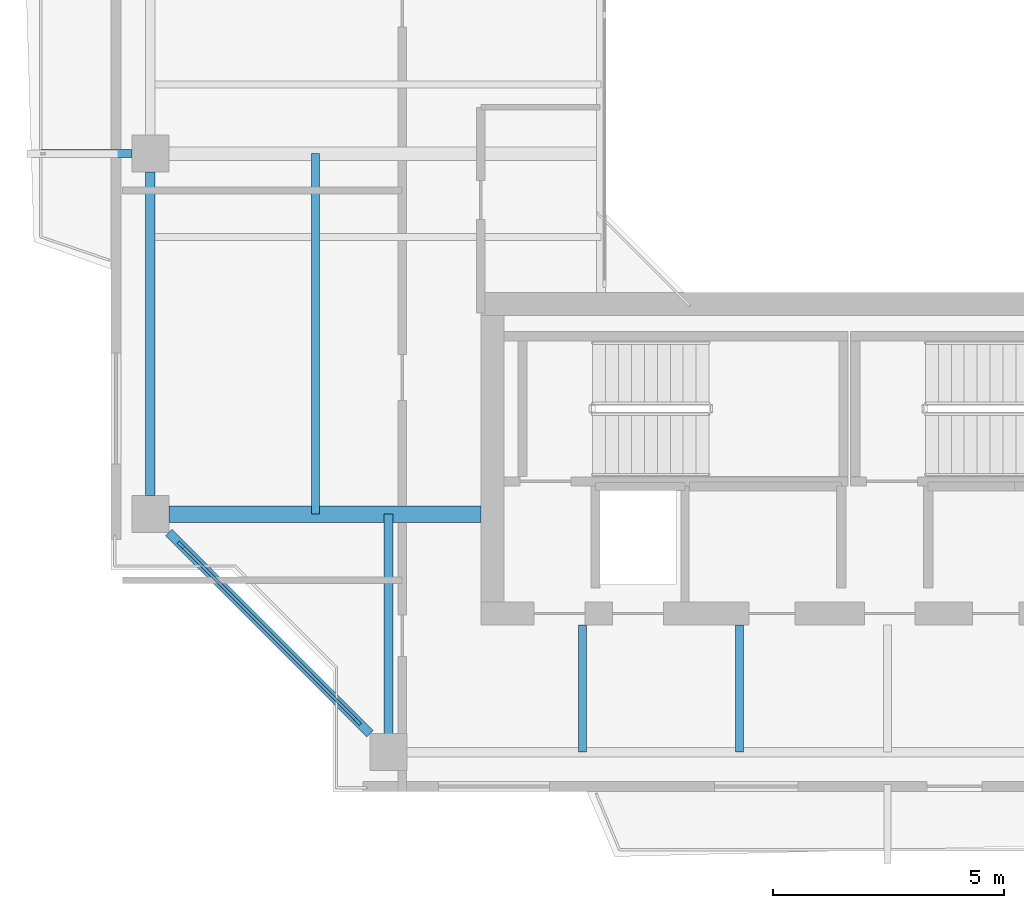
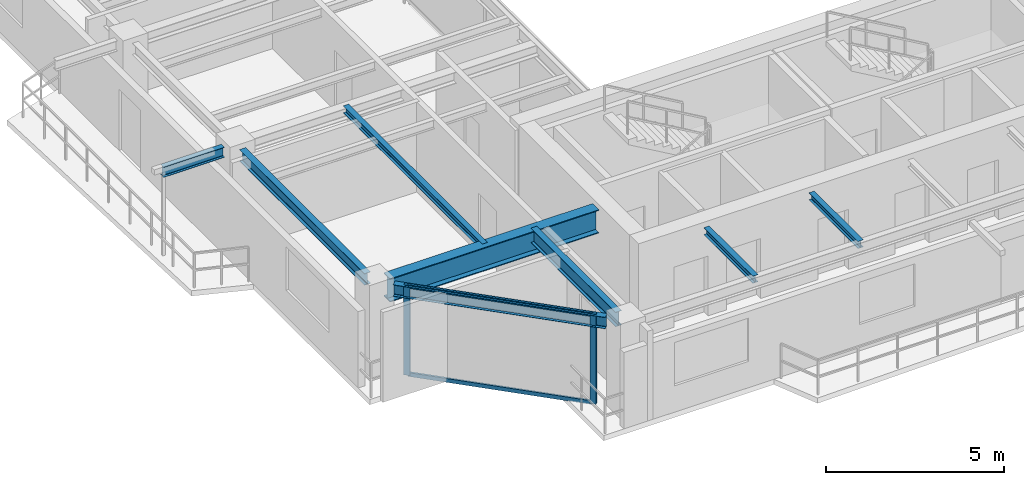
# One storey, part 2 of 15: 8 beams, 4 members, 1 element without a shape of its own.
"""IFC4 building model written with IfcOpenShell, lengths in metres."""

from ifc_helpers import new_model, si_unit, direction, frame, origin, origin_2d, place, context, subcontext, project, spatial, rectangle, i_section, extrude, source, transform, mapped, material, layer, layer_set, material_profile, profile_set, type_object, element, aggregate, save


model = new_model("IFC4")

# Units and contexts
model_context = context("Model", 3, precision=1e-05, world=origin(), true_north=direction((0.0, 1.0)))
body_context = subcontext(model_context, "Body", "Model", "MODEL_VIEW")
ifc_project = project(units=[si_unit("LENGTHUNIT", "METRE"), si_unit("AREAUNIT", "SQUARE_METRE"), si_unit("VOLUMEUNIT", "CUBIC_METRE"), si_unit("PLANEANGLEUNIT", "RADIAN"), si_unit("MASSUNIT", "GRAM", prefix="KILO"), si_unit("THERMODYNAMICTEMPERATUREUNIT", "KELVIN"), si_unit("POWERUNIT", "WATT")], contexts=[model_context])

# Site, building, storey
site_placement = place(None, origin())
site = spatial("IfcSite", under=ifc_project, at=site_placement, CompositionType="ELEMENT")
building_placement = place(site_placement, origin())
building = spatial("IfcBuilding", under=site, at=building_placement, Name="Qiaomeng Ring Towers", CompositionType="ELEMENT")
storey_placement = place(building_placement, frame((0.0, 0.0, 219.75)))
storey = spatial("IfcBuildingStorey", under=building, at=storey_placement, Name="L64", CompositionType="ELEMENT", Elevation=219.75)

# Beams
ifc_material_1 = material(Name="Steel Q355B", Category="steel")
ifc_material_profile_1 = material_profile(ifc_material_1, i_section(OverallWidth=0.198974609375, OverallDepth=0.39599609375, WebThickness=0.007080078125, FlangeThickness=0.010986328125, FilletRadius=0.01611328125, at=origin_2d()), Name="HN 396x199x7x11")
ifc_profile_set_1 = profile_set([ifc_material_profile_1], Name="Steel Q355B")
beam_type_1 = type_object("IfcBeamType", Name="STR-BM-HN396", PredefinedType="SPANDREL", material=ifc_profile_set_1)
shared_shape_1 = source(origin(), body_context, "Body", "SweptSolid", [
    extrude(i_section(OverallWidth=0.198974609375, OverallDepth=0.39599609375, WebThickness=0.007080078125, FlangeThickness=0.010986328125, FilletRadius=0.01611328125, at=origin_2d()), origin(), (0.0, 0.0, 1.0), 6.154052734375),
])
beam_1_placement = place(storey_placement, frame((3.44921875, 11.80078125, 2.8720703125), z_axis=(0.707106781187, -0.707106781187, 0.0), x_axis=(0.707106781187, 0.707106781187, 0.0)))
element("IfcBeam", 1, at=beam_1_placement, inside=storey, type_object=beam_type_1, Name="L64 beam STR-SP-L64-T1-W1-S1", PredefinedType="SPANDREL", context=body_context, shape_type="MappedRepresentation", body=[
    mapped(shared_shape_1, transform((0.0, 0.0, 0.0), x_axis=(1.0, 0.0, 0.0), y_axis=(0.0, 1.0, 0.0), z_axis=(0.0, 0.0, 1.0), scale=1.0)),
])
shared_shape_2 = source(origin(), body_context, "Body", "SweptSolid", [
    extrude(i_section(OverallWidth=0.198974609375, OverallDepth=0.39599609375, WebThickness=0.007080078125, FlangeThickness=0.010986328125, FilletRadius=0.01611328125, at=origin_2d()), origin(), (0.0, 0.0, 1.0), 7.001953125),
])
beam_2_placement = place(storey_placement, frame((3.050048828125, 19.60107421875, 2.8720703125), z_axis=(0.0, -1.0, 0.0), x_axis=(1.0, 0.0, 0.0)))
element("IfcBeam", 2, at=beam_2_placement, inside=storey, type_object=beam_type_1, Name="L64 beam STR-SP-L64-T1-W2-W1", PredefinedType="SPANDREL", context=body_context, shape_type="MappedRepresentation", body=[
    mapped(shared_shape_2, transform((0.0, 0.0, 0.0), x_axis=(1.0, 0.0, 0.0), y_axis=(0.0, 1.0, 0.0), z_axis=(0.0, 0.0, 1.0), scale=1.0)),
])
ifc_material_2 = material(Name="Steel Q390GJC", Category="steel")
ifc_material_profile_2 = material_profile(ifc_material_2, i_section(OverallWidth=0.35009765625, OverallDepth=0.800048828125, WebThickness=0.01611328125, FlangeThickness=0.028076171875, at=origin_2d()), Name="WH 800x350x16x28")
ifc_profile_set_2 = profile_set([ifc_material_profile_2], Name="Steel Q390GJC")
beam_type_2 = type_object("IfcBeamType", Name="STR-BM-WH800", PredefinedType="BEAM", material=ifc_profile_set_2)
shared_shape_3 = source(origin(), body_context, "Body", "SweptSolid", [
    extrude(i_section(OverallWidth=0.35009765625, OverallDepth=0.800048828125, WebThickness=0.01611328125, FlangeThickness=0.028076171875, at=origin_2d()), origin(), (0.0, 0.0, 1.0), 6.7509765625),
])
beam_3_placement = place(storey_placement, frame((3.448974609375, 12.199951171875, 2.669921875), z_axis=(1.0, 0.0, 0.0), x_axis=(0.0, 1.0, 0.0)))
element("IfcBeam", 3, at=beam_3_placement, inside=storey, type_object=beam_type_2, Name="L64 beam STR-BM-L64-T1-RAD-W1", PredefinedType="BEAM", context=body_context, shape_type="MappedRepresentation", body=[
    mapped(shared_shape_3, transform((0.0, 0.0, 0.0), x_axis=(1.0, 0.0, 0.0), y_axis=(0.0, 1.0, 0.0), z_axis=(0.0, 0.0, 1.0), scale=1.0)),
])
ifc_material_profile_3 = material_profile(ifc_material_1, i_section(OverallWidth=0.175048828125, OverallDepth=0.35009765625, WebThickness=0.007080078125, FlangeThickness=0.010986328125, FilletRadius=0.013916015625, at=origin_2d()), Name="HN 350x175x7x11")
ifc_profile_set_3 = profile_set([ifc_material_profile_3], Name="Steel Q355B")
beam_type_3 = type_object("IfcBeamType", Name="STR-BM-HN350", PredefinedType="JOIST", material=ifc_profile_set_3)
shared_shape_4 = source(origin(), body_context, "Body", "SweptSolid", [
    extrude(i_section(OverallWidth=0.175048828125, OverallDepth=0.35009765625, WebThickness=0.007080078125, FlangeThickness=0.010986328125, FilletRadius=0.013916015625, at=origin_2d()), origin(), (0.0, 0.0, 1.0), 1.970947265625),
])
beam_4_placement = place(storey_placement, frame((0.679931640625, 20.0, 2.89501953125), z_axis=(1.0, 0.0, 0.0), x_axis=(0.0, 1.0, 0.0)))
element("IfcBeam", 4, at=beam_4_placement, inside=storey, type_object=beam_type_3, Name="L64 beam STR-BALBM-L64-W2", PredefinedType="JOIST", context=body_context, shape_type="MappedRepresentation", body=[
    mapped(shared_shape_4, transform((0.0, 0.0, 0.0), x_axis=(1.0, 0.0, 0.0), y_axis=(0.0, 1.0, 0.0), z_axis=(0.0, 0.0, 1.0), scale=1.0)),
])
ifc_material_profile_4 = material_profile(ifc_material_1, i_section(OverallWidth=0.175048828125, OverallDepth=0.243896484375, WebThickness=0.007080078125, FlangeThickness=0.010986328125, FilletRadius=0.01611328125, at=origin_2d()), Name="HM 244x175x7x11")
ifc_profile_set_4 = profile_set([ifc_material_profile_4], Name="Steel Q355B")
beam_type_4 = type_object("IfcBeamType", Name="STR-BM-HM244", PredefinedType="JOIST", material=ifc_profile_set_4)
shared_shape_5 = source(origin(), body_context, "Body", "SweptSolid", [
    extrude(i_section(OverallWidth=0.175048828125, OverallDepth=0.243896484375, WebThickness=0.007080078125, FlangeThickness=0.010986328125, FilletRadius=0.01611328125, at=origin_2d()), origin(), (0.0, 0.0, 1.0), 2.75),
])
for number, where, z_axis, x_axis, name in (
    (5, (12.39990234375, 7.050048828125, 2.947998046875), (0.0, 1.0, 0.0), (-1.0, 0.0, 0.0), "L64 beam STR-JST-L64-T1S-1"),
    (6, (15.800048828125, 7.050048828125, 2.947998046875), (0.0, 1.0, 0.0), (-1.0, 0.0, 0.0), "L64 beam STR-JST-L64-T1S-2"),
):
    element("IfcBeam", number, at=place(storey_placement, frame(where, z_axis=z_axis, x_axis=x_axis)), inside=storey, type_object=beam_type_4, Name=name, PredefinedType="JOIST", context=body_context, shape_type="MappedRepresentation", body=[
        mapped(shared_shape_5, transform((0.0, 0.0, 0.0), x_axis=(1.0, 0.0, 0.0), y_axis=(0.0, 1.0, 0.0), z_axis=(0.0, 0.0, 1.0), scale=1.0)),
    ])
shared_shape_6 = source(origin(), body_context, "Body", "SweptSolid", [
    extrude(i_section(OverallWidth=0.175048828125, OverallDepth=0.243896484375, WebThickness=0.007080078125, FlangeThickness=0.010986328125, FilletRadius=0.01611328125, at=origin_2d()), origin(), (0.0, 0.0, 1.0), 7.800048828125),
])
beam_5_placement = place(storey_placement, frame((6.625, 12.199951171875, 2.947998046875), z_axis=(0.0, 1.0, 0.0), x_axis=(-1.0, 0.0, 0.0)))
element("IfcBeam", 7, at=beam_5_placement, inside=storey, type_object=beam_type_4, Name="L64 beam STR-JST-L64-T1C-WS", PredefinedType="JOIST", context=body_context, shape_type="MappedRepresentation", body=[
    mapped(shared_shape_6, transform((0.0, 0.0, 0.0), x_axis=(1.0, 0.0, 0.0), y_axis=(0.0, 1.0, 0.0), z_axis=(0.0, 0.0, 1.0), scale=1.0)),
])
ifc_material_profile_5 = material_profile(ifc_material_1, i_section(OverallWidth=0.198974609375, OverallDepth=0.49609375, WebThickness=0.009033203125, FlangeThickness=0.013916015625, FilletRadius=0.01806640625, at=origin_2d()), Name="HN 496x199x9x14")
ifc_profile_set_5 = profile_set([ifc_material_profile_5], Name="Steel Q355B")
beam_type_5 = type_object("IfcBeamType", Name="STR-BM-HN496", PredefinedType="BEAM", material=ifc_profile_set_5)
shared_shape_7 = source(origin(), body_context, "Body", "SweptSolid", [
    extrude(i_section(OverallWidth=0.198974609375, OverallDepth=0.49609375, WebThickness=0.009033203125, FlangeThickness=0.013916015625, FilletRadius=0.01806640625, at=origin_2d()), origin(), (0.0, 0.0, 1.0), 4.7509765625),
])
beam_6_placement = place(storey_placement, frame((8.199951171875, 7.448974609375, 2.822021484375), z_axis=(0.0, 1.0, 0.0), x_axis=(-1.0, 0.0, 0.0)))
element("IfcBeam", 8, at=beam_6_placement, inside=storey, type_object=beam_type_5, Name="L64 beam STR-BM-L64-T1-RAD-S1", PredefinedType="BEAM", context=body_context, shape_type="MappedRepresentation", body=[
    mapped(shared_shape_7, transform((0.0, 0.0, 0.0), x_axis=(1.0, 0.0, 0.0), y_axis=(0.0, 1.0, 0.0), z_axis=(0.0, 0.0, 1.0), scale=1.0)),
])

# Curtain wall, members
ifc_material_3 = material(Name="Fluorocarbon dark-grey aluminium", Category="aluminium")
ifc_layer = layer(ifc_material_3, 0.14990234375, Name="Fluorocarbon dark-grey aluminium")
ifc_layer_set = layer_set([ifc_layer], Name="Fluorocarbon dark-grey aluminium")
curtain_wall_type = type_object("IfcCurtainWallType", Name="ARC-CW-3", PredefinedType="NOTDEFINED", material=ifc_layer_set)
curtain_wall_placement = place(storey_placement, origin())
curtain_wall = element("IfcCurtainWall", 9, at=curtain_wall_placement, inside=storey, type_object=curtain_wall_type, Name="L64 Curtain Wall CW3", PredefinedType="NOTDEFINED")
ifc_material_profile_6 = material_profile(ifc_material_3, rectangle(XDim=0.070068359375, YDim=0.179931640625, at=origin_2d()), Name="ALU MULL 70x180")
ifc_profile_set_6 = profile_set([ifc_material_profile_6], Name="Fluorocarbon dark-grey aluminium")
member_type_1 = type_object("IfcMemberType", Name="ARC-CWM-160", PredefinedType="MULLION", material=ifc_profile_set_6)
shared_shape_8 = source(origin(), body_context, "Body", "SweptSolid", [
    extrude(rectangle(XDim=0.070068359375, YDim=0.179931640625, at=origin_2d()), origin(), (0.0, 0.0, 1.0), 3.070068359375),
])
member_1_placement = place(storey_placement, frame((3.71484375, 11.53515625, 0.0), z_axis=(0.0, 0.0, 1.0), x_axis=(0.707106781187, 0.707106781187, 0.0)))
member_1 = element("IfcMember", 10, at=member_1_placement, type_object=member_type_1, Name="CW3 mullion 1", PredefinedType="MULLION", context=body_context, shape_type="MappedRepresentation", body=[
    mapped(shared_shape_8, transform((0.0, 0.0, 0.0), x_axis=(1.0, 0.0, 0.0), y_axis=(0.0, 1.0, 0.0), z_axis=(0.0, 0.0, 1.0), scale=1.0)),
])
member_2_placement = place(storey_placement, frame((7.53515625, 7.71484375, 0.0), z_axis=(0.0, 0.0, 1.0), x_axis=(0.707106781187, 0.707106781187, 0.0)))
member_2 = element("IfcMember", 11, at=member_2_placement, type_object=member_type_1, Name="CW3 mullion 2", PredefinedType="MULLION", context=body_context, shape_type="MappedRepresentation", body=[
    mapped(shared_shape_8, transform((0.0, 0.0, 0.0), x_axis=(1.0, 0.0, 0.0), y_axis=(0.0, 1.0, 0.0), z_axis=(0.0, 0.0, 1.0), scale=1.0)),
])
ifc_material_profile_7 = material_profile(ifc_material_3, rectangle(XDim=0.06494140625, YDim=0.1298828125, at=origin_2d()), Name="ALU TRAN 65x130")
ifc_profile_set_7 = profile_set([ifc_material_profile_7], Name="Fluorocarbon dark-grey aluminium")
member_type_2 = type_object("IfcMemberType", Name="ARC-CWT-120", PredefinedType="USERDEFINED", material=ifc_profile_set_7)
shared_shape_9 = source(origin(), body_context, "Body", "SweptSolid", [
    extrude(rectangle(XDim=0.06494140625, YDim=0.1298828125, at=origin_2d()), origin(), (0.0, 0.0, 1.0), 5.3330078125),
])
member_3_placement = place(storey_placement, frame((3.739501953125, 11.510498046875, 0.032470703125), z_axis=(0.707106781187, -0.707106781187, 0.0), x_axis=(0.707106781187, 0.707106781187, 0.0)))
member_3 = element("IfcMember", 12, at=member_3_placement, type_object=member_type_2, Name="CW3 transom 1.1", ObjectType="TRANSOM", PredefinedType="USERDEFINED", context=body_context, shape_type="MappedRepresentation", body=[
    mapped(shared_shape_9, transform((0.0, 0.0, 0.0), x_axis=(1.0, 0.0, 0.0), y_axis=(0.0, 1.0, 0.0), z_axis=(0.0, 0.0, 1.0), scale=1.0)),
])
member_4_placement = place(storey_placement, frame((3.739501953125, 11.510498046875, 3.03759765625), z_axis=(0.707106781187, -0.707106781187, 0.0), x_axis=(0.707106781187, 0.707106781187, 0.0)))
member_4 = element("IfcMember", 13, at=member_4_placement, type_object=member_type_2, Name="CW3 transom 1.2", ObjectType="TRANSOM", PredefinedType="USERDEFINED", context=body_context, shape_type="MappedRepresentation", body=[
    mapped(shared_shape_9, transform((0.0, 0.0, 0.0), x_axis=(1.0, 0.0, 0.0), y_axis=(0.0, 1.0, 0.0), z_axis=(0.0, 0.0, 1.0), scale=1.0)),
])
aggregate(curtain_wall, [member_1, member_2, member_3, member_4])

save(model, "model.ifc")
